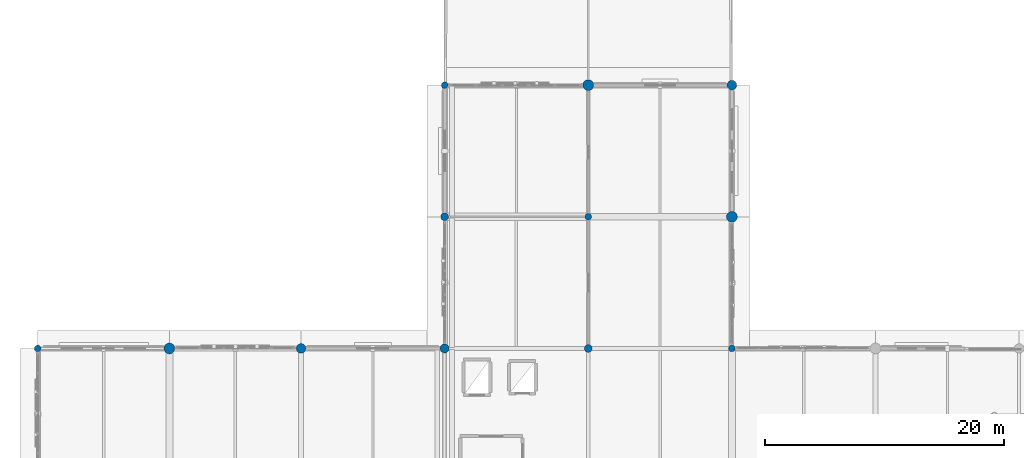
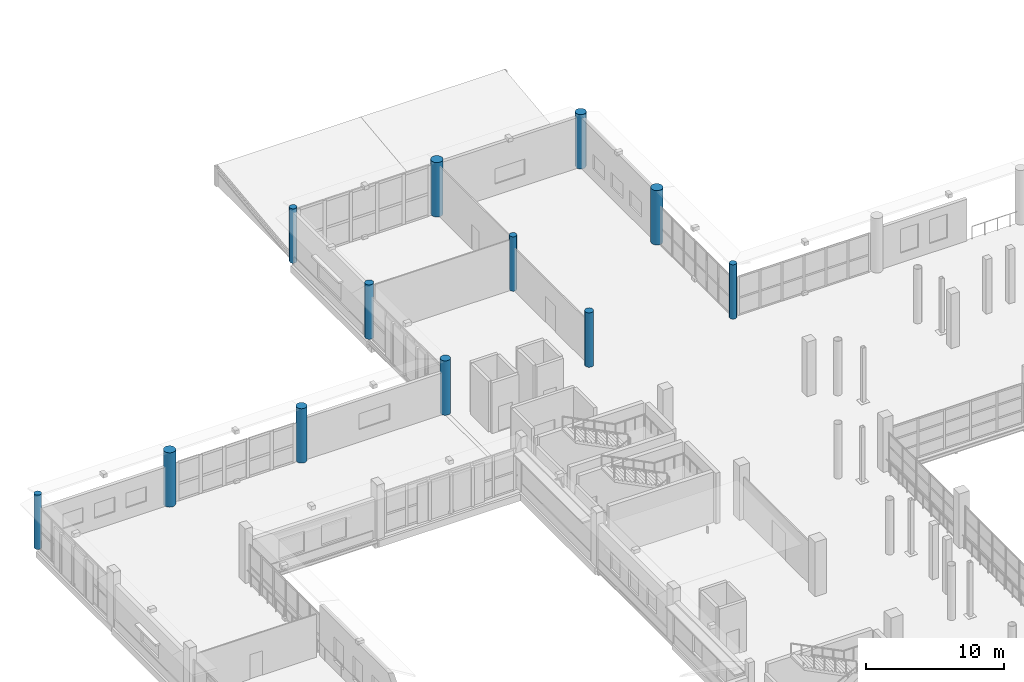
# One storey, part 10 of 143: 12 columns.
"""IFC4 building model written with IfcOpenShell, lengths in metres."""

from ifc_helpers import new_model, si_unit, direction, frame, origin, origin_2d, place, context, subcontext, project, spatial, circle, extrude, material, material_profile, profile_set, type_object, element, save


model = new_model("IFC4")

# Units and contexts
model_context = context("Model", 3, precision=1e-05, world=origin(), true_north=direction((0.0, 1.0)))
body_context = subcontext(model_context, "Body", "Model", "MODEL_VIEW")
ifc_project = project(units=[si_unit("LENGTHUNIT", "METRE"), si_unit("AREAUNIT", "SQUARE_METRE"), si_unit("VOLUMEUNIT", "CUBIC_METRE"), si_unit("PLANEANGLEUNIT", "RADIAN"), si_unit("MASSUNIT", "GRAM", prefix="KILO")], contexts=[model_context])

# Site, building, storey
site_placement = place(None, origin())
site = spatial("IfcSite", under=ifc_project, at=site_placement, CompositionType="ELEMENT")
building_placement = place(site_placement, origin())
building = spatial("IfcBuilding", under=site, at=building_placement, Name="Luwafu Chhajja Arena", CompositionType="ELEMENT")
storey_placement = place(building_placement, frame((0.0, 0.0, 5.39990234375)))
storey = spatial("IfcBuildingStorey", under=building, at=storey_placement, Name="L01", CompositionType="ELEMENT", Elevation=5.39990234375)

# Columns
ifc_material_1 = material(Name="Concrete C35/45", Category="concrete")
ifc_material_profile_1 = material_profile(ifc_material_1, circle(Radius=0.375, at=origin_2d()), Name="RC COL D750")
ifc_profile_set_1 = profile_set([ifc_material_profile_1], Name="Concrete C35/45")
column_type_1 = type_object("IfcColumnType", Name="Charbagh Cloister Pier D750", PredefinedType="COLUMN", material=ifc_profile_set_1)
column_placement = place(storey_placement, frame((34.0, 99.0, 0.0), z_axis=(0.0, 0.0, 1.0), x_axis=(1.0, 0.0, 0.0)))
element("IfcColumn", 1, at=column_placement, inside=storey, type_object=column_type_1, Name="L01 Grid Column 4/K", PredefinedType="COLUMN", context=body_context, shape_type="SweptSolid", body=[
    extrude(circle(Radius=0.375, at=origin_2d()), origin(), (0.0, 0.0, 1.0), 4.800048828125),
])
ifc_material_profile_2 = material_profile(ifc_material_1, circle(Radius=0.324951171875, at=origin_2d()), Name="RC COL D650")
ifc_profile_set_2 = profile_set([ifc_material_profile_2], Name="Concrete C35/45")
column_type_2 = type_object("IfcColumnType", Name="Courtyard Arcade Pier D650", PredefinedType="COLUMN", material=ifc_profile_set_2)
for number, where, z_axis, x_axis, name in (
    (2, (34.0, 110.0, 0.0), (0.0, 0.0, 1.0), (1.0, 0.0, 0.0), "L01 Grid Column 4/L"),
    (3, (46.0, 99.0, 0.0), (0.0, 0.0, 1.0), (1.0, 0.0, 0.0), "L01 Grid Column 5/K"),
):
    element("IfcColumn", number, at=place(storey_placement, frame(where, z_axis=z_axis, x_axis=x_axis)), inside=storey, type_object=column_type_2, Name=name, PredefinedType="COLUMN", context=body_context, shape_type="SweptSolid", body=[
        extrude(circle(Radius=0.324951171875, at=origin_2d()), origin(), (0.0, 0.0, 1.0), 4.800048828125),
    ])
ifc_material_2 = material(Name="Concrete C40/50", Category="concrete")
ifc_material_profile_3 = material_profile(ifc_material_2, circle(Radius=0.39990234375, at=origin_2d()), Name="RC COL D800")
ifc_profile_set_3 = profile_set([ifc_material_profile_3], Name="Concrete C40/50")
column_type_3 = type_object("IfcColumnType", Name="Foyer Rotunda Pier D800", PredefinedType="COLUMN", material=ifc_profile_set_3)
for number, where, z_axis, x_axis, name in (
    (4, (22.0, 99.0, 0.0), (0.0, 0.0, 1.0), (1.0, 0.0, 0.0), "L01 Grid Column 3/K"),
    (5, (58.0, 121.0, 0.0), (0.0, 0.0, 1.0), (1.0, 0.0, 0.0), "L01 Grid Column 6/M"),
):
    element("IfcColumn", number, at=place(storey_placement, frame(where, z_axis=z_axis, x_axis=x_axis)), inside=storey, type_object=column_type_3, Name=name, PredefinedType="COLUMN", context=body_context, shape_type="SweptSolid", body=[
        extrude(circle(Radius=0.39990234375, at=origin_2d()), origin(), (0.0, 0.0, 1.0), 4.800048828125),
    ])
ifc_material_profile_4 = material_profile(ifc_material_2, circle(Radius=0.449951171875, at=origin_2d()), Name="RC COL D900")
ifc_profile_set_4 = profile_set([ifc_material_profile_4], Name="Concrete C40/50")
column_type_4 = type_object("IfcColumnType", Name="Mughal Colonnade Drum Pier D900", PredefinedType="COLUMN", material=ifc_profile_set_4)
for number, where, z_axis, x_axis, name in (
    (6, (11.0, 99.0, 0.0), (0.0, 0.0, 1.0), (1.0, 0.0, 0.0), "L01 Grid Column 2/K"),
    (7, (46.0, 121.0, 0.0), (0.0, 0.0, 1.0), (1.0, 0.0, 0.0), "L01 Grid Column 5/M"),
    (8, (58.0, 110.0, 0.0), (0.0, 0.0, 1.0), (1.0, 0.0, 0.0), "L01 Grid Column 6/L"),
):
    element("IfcColumn", number, at=place(storey_placement, frame(where, z_axis=z_axis, x_axis=x_axis)), inside=storey, type_object=column_type_4, Name=name, PredefinedType="COLUMN", context=body_context, shape_type="SweptSolid", body=[
        extrude(circle(Radius=0.449951171875, at=origin_2d()), origin(), (0.0, 0.0, 1.0), 4.800048828125),
    ])
ifc_material_profile_5 = material_profile(ifc_material_1, circle(Radius=0.27490234375, at=origin_2d()), Name="RC COL D550")
ifc_profile_set_5 = profile_set([ifc_material_profile_5], Name="Concrete C35/45")
column_type_5 = type_object("IfcColumnType", Name="Terrace Loggia Pier D550", PredefinedType="COLUMN", material=ifc_profile_set_5)
for number, where, z_axis, x_axis, name in (
    (9, (0.0, 99.0, 0.0), (0.0, 0.0, 1.0), (1.0, 0.0, 0.0), "L01 Grid Column 1/K"),
    (10, (34.0, 121.0, 0.0), (0.0, 0.0, 1.0), (1.0, 0.0, 0.0), "L01 Grid Column 4/M"),
    (11, (46.0, 110.0, 0.0), (0.0, 0.0, 1.0), (1.0, 0.0, 0.0), "L01 Grid Column 5/L"),
    (12, (58.0, 99.0, 0.0), (0.0, 0.0, 1.0), (1.0, 0.0, 0.0), "L01 Grid Column 6/K"),
):
    element("IfcColumn", number, at=place(storey_placement, frame(where, z_axis=z_axis, x_axis=x_axis)), inside=storey, type_object=column_type_5, Name=name, PredefinedType="COLUMN", context=body_context, shape_type="SweptSolid", body=[
        extrude(circle(Radius=0.27490234375, at=origin_2d()), origin(), (0.0, 0.0, 1.0), 4.800048828125),
    ])

save(model, "model.ifc")
